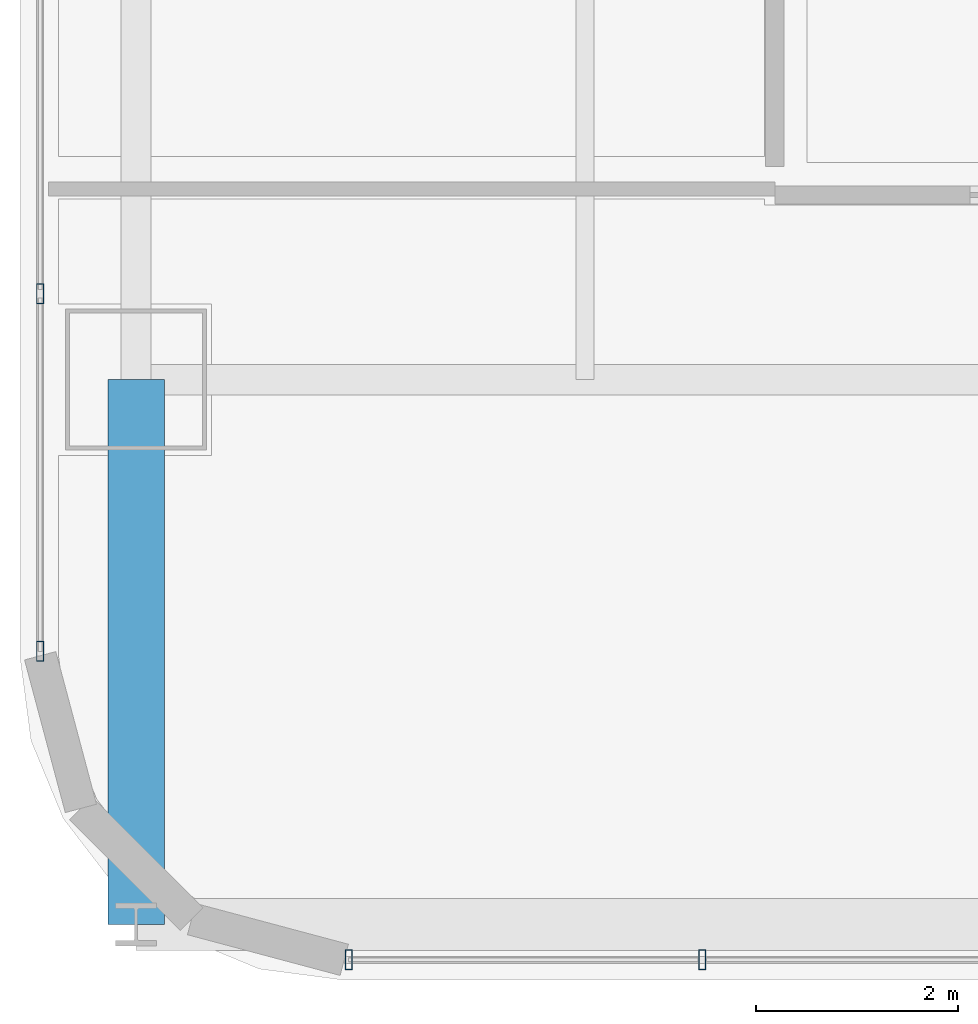
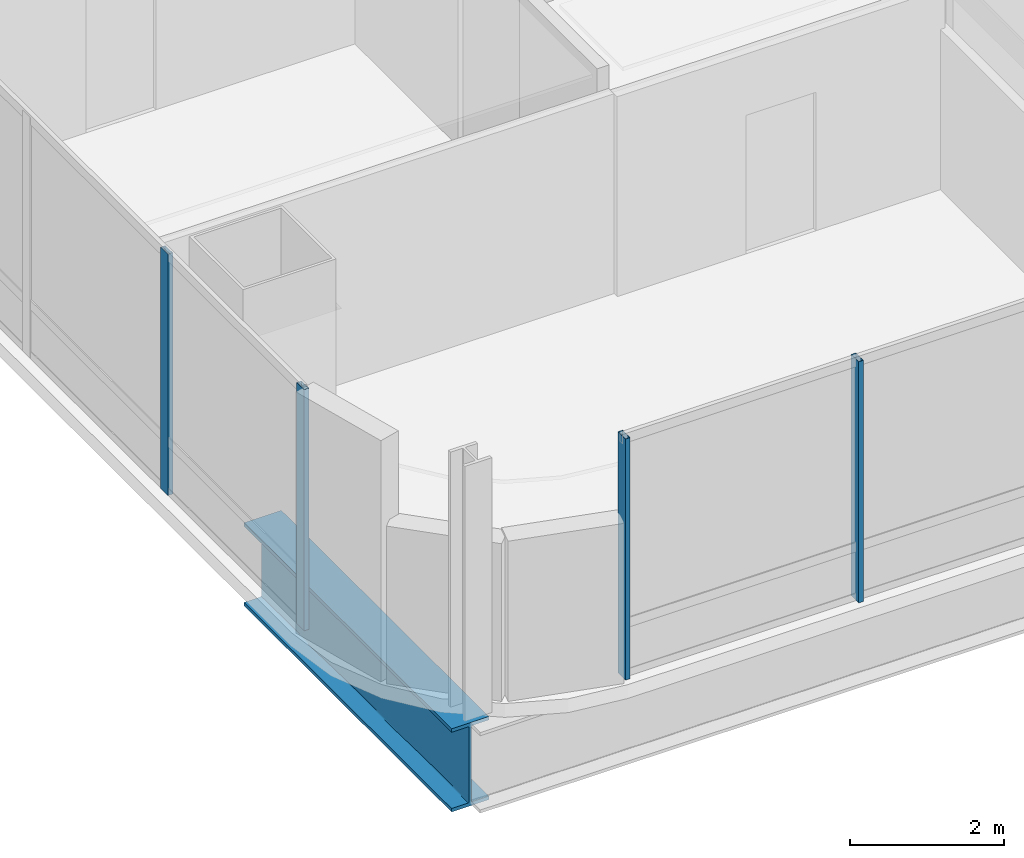
# One storey, part 2 of 37: 4 members, 1 beam, 2 elements without a shape of their own.
"""IFC4 building model written with IfcOpenShell, lengths in metres."""

from ifc_helpers import new_model, si_unit, direction, frame, origin, origin_2d, place, context, subcontext, project, spatial, hollow_rectangle, i_section, extrude, material, material_profile, profile_set, type_object, element, aggregate, save


model = new_model("IFC4")

# Units and contexts
model_context = context("Model", 3, precision=1e-05, world=origin(), true_north=direction((0.0, 1.0)))
body_context = subcontext(model_context, "Body", "Model", "MODEL_VIEW")
ifc_project = project(units=[si_unit("LENGTHUNIT", "METRE"), si_unit("AREAUNIT", "SQUARE_METRE"), si_unit("VOLUMEUNIT", "CUBIC_METRE"), si_unit("PLANEANGLEUNIT", "RADIAN"), si_unit("MASSUNIT", "GRAM", prefix="KILO")], contexts=[model_context])

# Site, building, storey
site_placement = place(None, origin())
site = spatial("IfcSite", under=ifc_project, at=site_placement, CompositionType="ELEMENT")
building_placement = place(site_placement, origin())
building = spatial("IfcBuilding", under=site, at=building_placement, Name="Punatoya Terracotta Tower", CompositionType="ELEMENT")
storey_placement = place(building_placement, frame((0.0, 0.0, 224.85009765625)))
storey = spatial("IfcBuildingStorey", under=building, at=storey_placement, Name="L53", CompositionType="ELEMENT", Elevation=224.85009765625)

# Beam
ifc_material_1 = material(Name="Steel S460", Category="steel")
ifc_material_profile_1 = material_profile(ifc_material_1, i_section(OverallWidth=0.56005859375, OverallDepth=1.320068359375, WebThickness=0.035888671875, FlangeThickness=0.054931640625, FilletRadius=0.01806640625, at=origin_2d()))
ifc_profile_set_1 = profile_set([ifc_material_profile_1], Name="Steel S460")
beam_type = type_object("IfcBeamType", Name="BM-TG-BLK", PredefinedType="BEAM", material=ifc_profile_set_1)
beam_placement = place(storey_placement, frame((-19.10009765625, -22.89990234375, -0.880126953125), z_axis=(0.0, 1.0, 0.0), x_axis=(-1.0, 0.0, 0.0)))
element("IfcBeam", 1, at=beam_placement, inside=storey, type_object=beam_type, Name="BM-L53-CANT-S1", PredefinedType="BEAM", context=body_context, shape_type="SweptSolid", body=[
    extrude(i_section(OverallWidth=0.56005859375, OverallDepth=1.320068359375, WebThickness=0.035888671875, FlangeThickness=0.054931640625, FilletRadius=0.01806640625, at=origin_2d()), origin(), (0.0, 0.0, 1.0), 5.39990234375),
])

# Curtain wall, members
ifc_material_2 = material(Name="Aluminium 6063-T6 + Double Low-E Glass", Category="aluminium")
curtain_wall_type = type_object("IfcCurtainWallType", Name="CW-M2", PredefinedType="NOTDEFINED", material=ifc_material_2)
curtain_wall_1_placement = place(storey_placement, origin())
curtain_wall_1 = element("IfcCurtainWall", 2, at=curtain_wall_1_placement, inside=storey, type_object=curtain_wall_type, Name="L53 Curtain Wall CW-L53-S01-1", PredefinedType="NOTDEFINED")
ifc_material_3 = material(Name="Aluminium 6063-T6", Category="aluminium")
ifc_material_profile_2 = material_profile(ifc_material_3, hollow_rectangle(XDim=0.072021484375, YDim=0.195068359375, WallThickness=0.00439453125, at=origin_2d()))
ifc_profile_set_2 = profile_set([ifc_material_profile_2], Name="Aluminium 6063-T6")
member_type = type_object("IfcMemberType", Name="CW-MUL-M2", PredefinedType="MULLION", material=ifc_profile_set_2)
member_1_placement = place(storey_placement, frame((-16.991943359375, -23.25, 0.0), z_axis=(0.0, 0.0, 1.0), x_axis=(1.0, 0.0, 0.0)))
member_1 = element("IfcMember", 3, at=member_1_placement, type_object=member_type, Name="CW-L53-S01-1 Mullion 00", PredefinedType="MULLION", context=body_context, shape_type="SweptSolid", body=[
    extrude(hollow_rectangle(XDim=0.072021484375, YDim=0.195068359375, WallThickness=0.00439453125, at=origin_2d()), origin(), (0.0, 0.0, 1.0), 3.829833984375),
])
member_2_placement = place(storey_placement, frame((-13.48828125, -23.25, 0.0), z_axis=(0.0, 0.0, 1.0), x_axis=(1.0, 0.0, 0.0)))
member_2 = element("IfcMember", 4, at=member_2_placement, type_object=member_type, Name="CW-L53-S01-1 Mullion 01", PredefinedType="MULLION", context=body_context, shape_type="SweptSolid", body=[
    extrude(hollow_rectangle(XDim=0.072021484375, YDim=0.195068359375, WallThickness=0.00439453125, at=origin_2d()), origin(), (0.0, 0.0, 1.0), 3.829833984375),
])
aggregate(curtain_wall_1, [member_1, member_2])

curtain_wall_2_placement = place(storey_placement, origin())
curtain_wall_2 = element("IfcCurtainWall", 5, at=curtain_wall_2_placement, inside=storey, type_object=curtain_wall_type, Name="L53 Curtain Wall CW-L53-W11-1", PredefinedType="NOTDEFINED")
member_3_placement = place(storey_placement, frame((-20.050048828125, -16.6494140625, 0.0), z_axis=(0.0, 0.0, 1.0), x_axis=(1.0, 0.0, 0.0)))
member_3 = element("IfcMember", 6, at=member_3_placement, type_object=member_type, Name="CW-L53-W11-1 Mullion 08", PredefinedType="MULLION", context=body_context, shape_type="SweptSolid", body=[
    extrude(hollow_rectangle(XDim=0.072021484375, YDim=0.195068359375, WallThickness=0.00439453125, at=origin_2d()), origin(), (0.0, 0.0, 1.0), 3.829833984375),
])
member_4_placement = place(storey_placement, frame((-20.050048828125, -20.19189453125, 0.0), z_axis=(0.0, 0.0, 1.0), x_axis=(1.0, 0.0, 0.0)))
member_4 = element("IfcMember", 7, at=member_4_placement, type_object=member_type, Name="CW-L53-W11-1 Mullion 09", PredefinedType="MULLION", context=body_context, shape_type="SweptSolid", body=[
    extrude(hollow_rectangle(XDim=0.072021484375, YDim=0.195068359375, WallThickness=0.00439453125, at=origin_2d()), origin(), (0.0, 0.0, 1.0), 3.829833984375),
])
aggregate(curtain_wall_2, [member_3, member_4])

save(model, "model.ifc")
